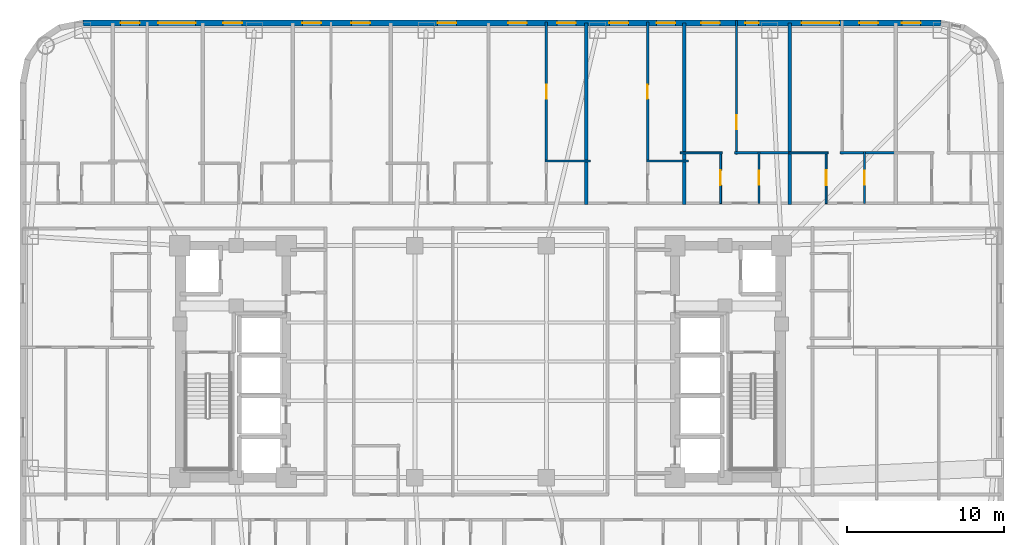
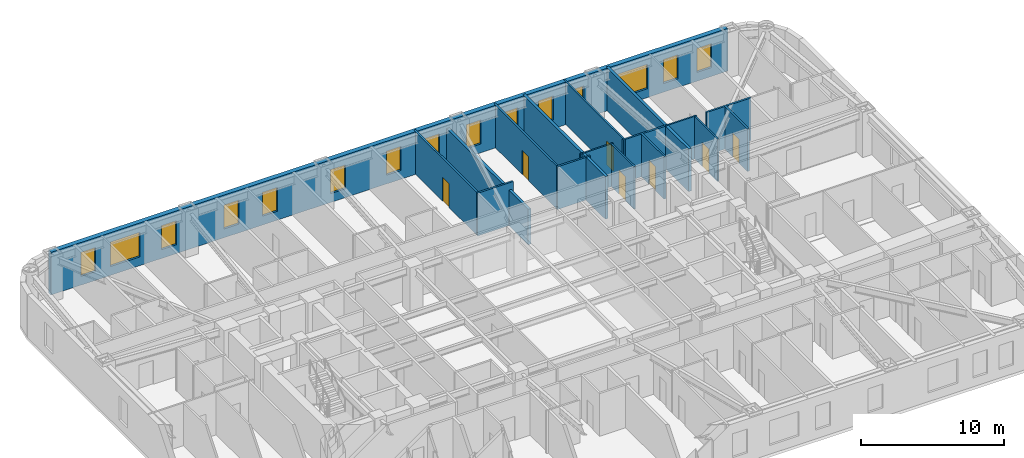
# One storey, part 9 of 13: 17 walls, 15 windows, 7 doors, 22 openings.
"""IFC4 building model written with IfcOpenShell, lengths in metres."""

from ifc_helpers import new_model, si_unit, direction, frame, frame_2d, origin, place, context, subcontext, project, spatial, rectangle, extrude, material, layer, layer_set, type_object, element, fill, save


model = new_model("IFC4")

# Units and contexts
model_context = context("Model", 3, precision=1e-05, world=origin(), true_north=direction((0.0, 1.0)))
body_context = subcontext(model_context, "Body", "Model", "MODEL_VIEW")
ifc_project = project(units=[si_unit("LENGTHUNIT", "METRE"), si_unit("AREAUNIT", "SQUARE_METRE"), si_unit("VOLUMEUNIT", "CUBIC_METRE"), si_unit("PLANEANGLEUNIT", "RADIAN"), si_unit("MASSUNIT", "GRAM", prefix="KILO")], contexts=[model_context])

# Site, building, storey
site_placement = place(None, origin())
site = spatial("IfcSite", under=ifc_project, at=site_placement, CompositionType="ELEMENT")
building_placement = place(site_placement, origin())
building = spatial("IfcBuilding", under=site, at=building_placement, Name="Voryun Gate Residences", CompositionType="ELEMENT")
storey_placement = place(building_placement, frame((0.0, 0.0, 124.800048828125)))
storey = spatial("IfcBuildingStorey", under=building, at=storey_placement, Name="L30", CompositionType="ELEMENT", Elevation=124.800048828125)

# Wall, openings, windows
ifc_material_1 = material(Name="Granite masonry", Category="masonry")
ifc_layer_1 = layer(ifc_material_1, 0.3798828125, Name="W_EXT_GRANITE_380")
ifc_layer_set_1 = layer_set([ifc_layer_1], Name="Granite masonry")
wall_type_1 = type_object("IfcWallType", Name="W_EXT_GRANITE_380", PredefinedType="ELEMENTEDWALL", material=ifc_layer_set_1)
wall_1_placement = place(storey_placement, frame((-25.38134765625, 21.610107421875, 0.0), z_axis=(0.0, 0.0, 1.0), x_axis=(1.0, 0.0, 0.0)))
wall_1 = element("IfcWall", 1, at=wall_1_placement, inside=storey, type_object=wall_type_1, Name="Exterior wall WEXT-L30-11", PredefinedType="ELEMENTEDWALL", context=body_context, shape_type="SweptSolid", body=[
    extrude(rectangle(XDim=54.7626953125, YDim=0.3798828125, at=frame_2d((27.38134765625, 0.0))), origin(), (0.0, 0.0, 1.0), 3.64990234375),
])
opening_1_placement = place(wall_1_placement, frame((4.79541015625, 0.0, 0.75)))
opening_1 = element("IfcOpeningElement", 2, at=opening_1_placement, cuts=wall_1, Name="Opening WN2", PredefinedType="OPENING", context=body_context, shape_type="SweptSolid", body=[
    extrude(rectangle(XDim=2.39990234375, YDim=2.10009765625, at=frame_2d((1.199951171875, 1.050048828125))), frame((0.0, 0.199951171875, 0.0), z_axis=(0.0, -1.0, 0.0), x_axis=(1.0, 0.0, 0.0)), (0.0, 0.0, 1.0), 0.39990234375),
])
opening_2_placement = place(wall_1_placement, frame((45.8671875, 0.0, 0.75)))
opening_2 = element("IfcOpeningElement", 3, at=opening_2_placement, cuts=wall_1, Name="Opening WN2", PredefinedType="OPENING", context=body_context, shape_type="SweptSolid", body=[
    extrude(rectangle(XDim=2.39990234375, YDim=2.10009765625, at=frame_2d((1.199951171875, 1.050048828125))), frame((0.0, 0.199951171875, 0.0), z_axis=(0.0, -1.0, 0.0), x_axis=(1.0, 0.0, 0.0)), (0.0, 0.0, 1.0), 0.39990234375),
])
opening_3_placement = place(wall_1_placement, frame((2.408203125, 0.0, 0.75)))
opening_3 = element("IfcOpeningElement", 4, at=opening_3_placement, cuts=wall_1, Name="Opening WN6", PredefinedType="OPENING", context=body_context, shape_type="SweptSolid", body=[
    extrude(rectangle(XDim=1.199951171875, YDim=2.050048828125, at=frame_2d((0.60009765625, 1.02490234375))), frame((0.0, 0.199951171875, 0.0), z_axis=(0.0, -1.0, 0.0), x_axis=(1.0, 0.0, 0.0)), (0.0, 0.0, 1.0), 0.39990234375),
])
opening_4_placement = place(wall_1_placement, frame((8.951904296875, 0.0, 0.75)))
opening_4 = element("IfcOpeningElement", 5, at=opening_4_placement, cuts=wall_1, Name="Opening WN6", PredefinedType="OPENING", context=body_context, shape_type="SweptSolid", body=[
    extrude(rectangle(XDim=1.199951171875, YDim=2.050048828125, at=frame_2d((0.60009765625, 1.02490234375))), frame((0.0, 0.199951171875, 0.0), z_axis=(0.0, -1.0, 0.0), x_axis=(1.0, 0.0, 0.0)), (0.0, 0.0, 1.0), 0.39990234375),
])
opening_5_placement = place(wall_1_placement, frame((17.1318359375, 0.0, 0.75)))
opening_5 = element("IfcOpeningElement", 6, at=opening_5_placement, cuts=wall_1, Name="Opening WN6", PredefinedType="OPENING", context=body_context, shape_type="SweptSolid", body=[
    extrude(rectangle(XDim=1.199951171875, YDim=2.050048828125, at=frame_2d((0.60009765625, 1.02490234375))), frame((0.0, 0.199951171875, 0.0), z_axis=(0.0, -1.0, 0.0), x_axis=(1.0, 0.0, 0.0)), (0.0, 0.0, 1.0), 0.39990234375),
])
opening_6_placement = place(wall_1_placement, frame((14.0068359375, 0.0, 0.75)))
opening_6 = element("IfcOpeningElement", 7, at=opening_6_placement, cuts=wall_1, Name="Opening WN6", PredefinedType="OPENING", context=body_context, shape_type="SweptSolid", body=[
    extrude(rectangle(XDim=1.199951171875, YDim=2.050048828125, at=frame_2d((0.60009765625, 1.02490234375))), frame((0.0, 0.199951171875, 0.0), z_axis=(0.0, -1.0, 0.0), x_axis=(1.0, 0.0, 0.0)), (0.0, 0.0, 1.0), 0.39990234375),
])
opening_7_placement = place(wall_1_placement, frame((22.63623046875, 0.0, 0.75)))
opening_7 = element("IfcOpeningElement", 8, at=opening_7_placement, cuts=wall_1, Name="Opening WN6", PredefinedType="OPENING", context=body_context, shape_type="SweptSolid", body=[
    extrude(rectangle(XDim=1.199951171875, YDim=2.050048828125, at=frame_2d((0.60009765625, 1.02490234375))), frame((0.0, 0.199951171875, 0.0), z_axis=(0.0, -1.0, 0.0), x_axis=(1.0, 0.0, 0.0)), (0.0, 0.0, 1.0), 0.39990234375),
])
opening_8_placement = place(wall_1_placement, frame((27.12890625, 0.0, 0.75)))
opening_8 = element("IfcOpeningElement", 9, at=opening_8_placement, cuts=wall_1, Name="Opening WN6", PredefinedType="OPENING", context=body_context, shape_type="SweptSolid", body=[
    extrude(rectangle(XDim=1.199951171875, YDim=2.050048828125, at=frame_2d((0.60009765625, 1.02490234375))), frame((0.0, 0.199951171875, 0.0), z_axis=(0.0, -1.0, 0.0), x_axis=(1.0, 0.0, 0.0)), (0.0, 0.0, 1.0), 0.39990234375),
])
opening_9_placement = place(wall_1_placement, frame((30.25390625, 0.0, 0.75)))
opening_9 = element("IfcOpeningElement", 10, at=opening_9_placement, cuts=wall_1, Name="Opening WN6", PredefinedType="OPENING", context=body_context, shape_type="SweptSolid", body=[
    extrude(rectangle(XDim=1.199951171875, YDim=2.050048828125, at=frame_2d((0.60009765625, 1.02490234375))), frame((0.0, 0.199951171875, 0.0), z_axis=(0.0, -1.0, 0.0), x_axis=(1.0, 0.0, 0.0)), (0.0, 0.0, 1.0), 0.39990234375),
])
opening_10_placement = place(wall_1_placement, frame((33.603271484375, 0.0, 0.75)))
opening_10 = element("IfcOpeningElement", 11, at=opening_10_placement, cuts=wall_1, Name="Opening WN6", PredefinedType="OPENING", context=body_context, shape_type="SweptSolid", body=[
    extrude(rectangle(XDim=1.199951171875, YDim=2.050048828125, at=frame_2d((0.60009765625, 1.02490234375))), frame((0.0, 0.199951171875, 0.0), z_axis=(0.0, -1.0, 0.0), x_axis=(1.0, 0.0, 0.0)), (0.0, 0.0, 1.0), 0.39990234375),
])
opening_11_placement = place(wall_1_placement, frame((36.6083984375, 0.0, 0.75)))
opening_11 = element("IfcOpeningElement", 12, at=opening_11_placement, cuts=wall_1, Name="Opening WN6", PredefinedType="OPENING", context=body_context, shape_type="SweptSolid", body=[
    extrude(rectangle(XDim=1.199951171875, YDim=2.050048828125, at=frame_2d((0.60009765625, 1.02490234375))), frame((0.0, 0.199951171875, 0.0), z_axis=(0.0, -1.0, 0.0), x_axis=(1.0, 0.0, 0.0)), (0.0, 0.0, 1.0), 0.39990234375),
])
opening_12_placement = place(wall_1_placement, frame((39.44580078125, 0.0, 0.75)))
opening_12 = element("IfcOpeningElement", 13, at=opening_12_placement, cuts=wall_1, Name="Opening WN6", PredefinedType="OPENING", context=body_context, shape_type="SweptSolid", body=[
    extrude(rectangle(XDim=1.199951171875, YDim=2.050048828125, at=frame_2d((0.60009765625, 1.02490234375))), frame((0.0, 0.199951171875, 0.0), z_axis=(0.0, -1.0, 0.0), x_axis=(1.0, 0.0, 0.0)), (0.0, 0.0, 1.0), 0.39990234375),
])
opening_13_placement = place(wall_1_placement, frame((42.270263671875, 0.0, 0.75)))
opening_13 = element("IfcOpeningElement", 14, at=opening_13_placement, cuts=wall_1, Name="Opening WN9", PredefinedType="OPENING", context=body_context, shape_type="SweptSolid", body=[
    extrude(rectangle(XDim=0.85009765625, YDim=2.050048828125, at=frame_2d((0.425048828125, 1.02490234375))), frame((0.0, 0.199951171875, 0.0), z_axis=(0.0, -1.0, 0.0), x_axis=(1.0, 0.0, 0.0)), (0.0, 0.0, 1.0), 0.39990234375),
])
opening_14_placement = place(wall_1_placement, frame((49.55419921875, 0.0, 0.75)))
opening_14 = element("IfcOpeningElement", 15, at=opening_14_placement, cuts=wall_1, Name="Opening WN6", PredefinedType="OPENING", context=body_context, shape_type="SweptSolid", body=[
    extrude(rectangle(XDim=1.199951171875, YDim=2.050048828125, at=frame_2d((0.60009765625, 1.02490234375))), frame((0.0, 0.199951171875, 0.0), z_axis=(0.0, -1.0, 0.0), x_axis=(1.0, 0.0, 0.0)), (0.0, 0.0, 1.0), 0.39990234375),
])
opening_15_placement = place(wall_1_placement, frame((52.26611328125, 0.0, 0.75)))
opening_15 = element("IfcOpeningElement", 16, at=opening_15_placement, cuts=wall_1, Name="Opening WN6", PredefinedType="OPENING", context=body_context, shape_type="SweptSolid", body=[
    extrude(rectangle(XDim=1.199951171875, YDim=2.050048828125, at=frame_2d((0.60009765625, 1.02490234375))), frame((0.0, 0.199951171875, 0.0), z_axis=(0.0, -1.0, 0.0), x_axis=(1.0, 0.0, 0.0)), (0.0, 0.0, 1.0), 0.39990234375),
])
ifc_material_2 = material(Name="Laminated low-E glass", Category="glass")
window_type_1 = type_object("IfcWindowType", Name="WN_POD_SLOT_1200", PartitioningType="SINGLE_PANEL", PredefinedType="WINDOW", material=ifc_material_2)
window_1_placement = place(opening_3_placement, origin())
window_1 = element("IfcWindow", 17, at=window_1_placement, inside=storey, type_object=window_type_1, Name="Window WN-L30-DWFIX-02", OverallHeight=2.050048828125, OverallWidth=1.199951171875, PartitioningType="SINGLE_PANEL", PredefinedType="WINDOW", context=body_context, shape_type="SweptSolid", body=[
    extrude(rectangle(XDim=1.199951171875, YDim=2.050048828125, at=frame_2d((0.60009765625, 1.02490234375))), frame((0.0, 0.030029296875, 0.0), z_axis=(0.0, -1.0, 0.0), x_axis=(1.0, 0.0, 0.0)), (0.0, 0.0, 1.0), 0.06005859375),
])
fill(opening_3, window_1)
window_2_placement = place(opening_4_placement, origin())
window_2 = element("IfcWindow", 18, at=window_2_placement, inside=storey, type_object=window_type_1, Name="Window WN-L30-DWFIX-03", OverallHeight=2.050048828125, OverallWidth=1.199951171875, PartitioningType="SINGLE_PANEL", PredefinedType="WINDOW", context=body_context, shape_type="SweptSolid", body=[
    extrude(rectangle(XDim=1.199951171875, YDim=2.050048828125, at=frame_2d((0.60009765625, 1.02490234375))), frame((0.0, 0.030029296875, 0.0), z_axis=(0.0, -1.0, 0.0), x_axis=(1.0, 0.0, 0.0)), (0.0, 0.0, 1.0), 0.06005859375),
])
fill(opening_4, window_2)
window_3_placement = place(opening_5_placement, origin())
window_3 = element("IfcWindow", 19, at=window_3_placement, inside=storey, type_object=window_type_1, Name="Window WN-L30-DWFIX-04", OverallHeight=2.050048828125, OverallWidth=1.199951171875, PartitioningType="SINGLE_PANEL", PredefinedType="WINDOW", context=body_context, shape_type="SweptSolid", body=[
    extrude(rectangle(XDim=1.199951171875, YDim=2.050048828125, at=frame_2d((0.60009765625, 1.02490234375))), frame((0.0, 0.030029296875, 0.0), z_axis=(0.0, -1.0, 0.0), x_axis=(1.0, 0.0, 0.0)), (0.0, 0.0, 1.0), 0.06005859375),
])
fill(opening_5, window_3)
window_4_placement = place(opening_6_placement, origin())
window_4 = element("IfcWindow", 20, at=window_4_placement, inside=storey, type_object=window_type_1, Name="Window WN-L30-DWFIX-05", OverallHeight=2.050048828125, OverallWidth=1.199951171875, PartitioningType="SINGLE_PANEL", PredefinedType="WINDOW", context=body_context, shape_type="SweptSolid", body=[
    extrude(rectangle(XDim=1.199951171875, YDim=2.050048828125, at=frame_2d((0.60009765625, 1.02490234375))), frame((0.0, 0.030029296875, 0.0), z_axis=(0.0, -1.0, 0.0), x_axis=(1.0, 0.0, 0.0)), (0.0, 0.0, 1.0), 0.06005859375),
])
fill(opening_6, window_4)
window_5_placement = place(opening_7_placement, origin())
window_5 = element("IfcWindow", 21, at=window_5_placement, inside=storey, type_object=window_type_1, Name="Window WN-L30-DWFIX-06", OverallHeight=2.050048828125, OverallWidth=1.199951171875, PartitioningType="SINGLE_PANEL", PredefinedType="WINDOW", context=body_context, shape_type="SweptSolid", body=[
    extrude(rectangle(XDim=1.199951171875, YDim=2.050048828125, at=frame_2d((0.60009765625, 1.02490234375))), frame((0.0, 0.030029296875, 0.0), z_axis=(0.0, -1.0, 0.0), x_axis=(1.0, 0.0, 0.0)), (0.0, 0.0, 1.0), 0.06005859375),
])
fill(opening_7, window_5)
window_6_placement = place(opening_8_placement, origin())
window_6 = element("IfcWindow", 22, at=window_6_placement, inside=storey, type_object=window_type_1, Name="Window WN-L30-DWFIX-07", OverallHeight=2.050048828125, OverallWidth=1.199951171875, PartitioningType="SINGLE_PANEL", PredefinedType="WINDOW", context=body_context, shape_type="SweptSolid", body=[
    extrude(rectangle(XDim=1.199951171875, YDim=2.050048828125, at=frame_2d((0.60009765625, 1.02490234375))), frame((0.0, 0.030029296875, 0.0), z_axis=(0.0, -1.0, 0.0), x_axis=(1.0, 0.0, 0.0)), (0.0, 0.0, 1.0), 0.06005859375),
])
fill(opening_8, window_6)
window_7_placement = place(opening_9_placement, origin())
window_7 = element("IfcWindow", 23, at=window_7_placement, inside=storey, type_object=window_type_1, Name="Window WN-L30-DWFIX-08", OverallHeight=2.050048828125, OverallWidth=1.199951171875, PartitioningType="SINGLE_PANEL", PredefinedType="WINDOW", context=body_context, shape_type="SweptSolid", body=[
    extrude(rectangle(XDim=1.199951171875, YDim=2.050048828125, at=frame_2d((0.60009765625, 1.02490234375))), frame((0.0, 0.030029296875, 0.0), z_axis=(0.0, -1.0, 0.0), x_axis=(1.0, 0.0, 0.0)), (0.0, 0.0, 1.0), 0.06005859375),
])
fill(opening_9, window_7)
window_8_placement = place(opening_10_placement, origin())
window_8 = element("IfcWindow", 24, at=window_8_placement, inside=storey, type_object=window_type_1, Name="Window WN-L30-DWFIX-09", OverallHeight=2.050048828125, OverallWidth=1.199951171875, PartitioningType="SINGLE_PANEL", PredefinedType="WINDOW", context=body_context, shape_type="SweptSolid", body=[
    extrude(rectangle(XDim=1.199951171875, YDim=2.050048828125, at=frame_2d((0.60009765625, 1.02490234375))), frame((0.0, 0.030029296875, 0.0), z_axis=(0.0, -1.0, 0.0), x_axis=(1.0, 0.0, 0.0)), (0.0, 0.0, 1.0), 0.06005859375),
])
fill(opening_10, window_8)
window_9_placement = place(opening_11_placement, origin())
window_9 = element("IfcWindow", 25, at=window_9_placement, inside=storey, type_object=window_type_1, Name="Window WN-L30-DWFIX-10", OverallHeight=2.050048828125, OverallWidth=1.199951171875, PartitioningType="SINGLE_PANEL", PredefinedType="WINDOW", context=body_context, shape_type="SweptSolid", body=[
    extrude(rectangle(XDim=1.199951171875, YDim=2.050048828125, at=frame_2d((0.60009765625, 1.02490234375))), frame((0.0, 0.030029296875, 0.0), z_axis=(0.0, -1.0, 0.0), x_axis=(1.0, 0.0, 0.0)), (0.0, 0.0, 1.0), 0.06005859375),
])
fill(opening_11, window_9)
window_10_placement = place(opening_12_placement, origin())
window_10 = element("IfcWindow", 26, at=window_10_placement, inside=storey, type_object=window_type_1, Name="Window WN-L30-DWFIX-11", OverallHeight=2.050048828125, OverallWidth=1.199951171875, PartitioningType="SINGLE_PANEL", PredefinedType="WINDOW", context=body_context, shape_type="SweptSolid", body=[
    extrude(rectangle(XDim=1.199951171875, YDim=2.050048828125, at=frame_2d((0.60009765625, 1.02490234375))), frame((0.0, 0.030029296875, 0.0), z_axis=(0.0, -1.0, 0.0), x_axis=(1.0, 0.0, 0.0)), (0.0, 0.0, 1.0), 0.06005859375),
])
fill(opening_12, window_10)
window_11_placement = place(opening_14_placement, origin())
window_11 = element("IfcWindow", 27, at=window_11_placement, inside=storey, type_object=window_type_1, Name="Window WN-L30-DWFIX-13", OverallHeight=2.050048828125, OverallWidth=1.199951171875, PartitioningType="SINGLE_PANEL", PredefinedType="WINDOW", context=body_context, shape_type="SweptSolid", body=[
    extrude(rectangle(XDim=1.199951171875, YDim=2.050048828125, at=frame_2d((0.60009765625, 1.02490234375))), frame((0.0, 0.030029296875, 0.0), z_axis=(0.0, -1.0, 0.0), x_axis=(1.0, 0.0, 0.0)), (0.0, 0.0, 1.0), 0.06005859375),
])
fill(opening_14, window_11)
window_12_placement = place(opening_15_placement, origin())
window_12 = element("IfcWindow", 28, at=window_12_placement, inside=storey, type_object=window_type_1, Name="Window WN-L30-DWFIX-14", OverallHeight=2.050048828125, OverallWidth=1.199951171875, PartitioningType="SINGLE_PANEL", PredefinedType="WINDOW", context=body_context, shape_type="SweptSolid", body=[
    extrude(rectangle(XDim=1.199951171875, YDim=2.050048828125, at=frame_2d((0.60009765625, 1.02490234375))), frame((0.0, 0.030029296875, 0.0), z_axis=(0.0, -1.0, 0.0), x_axis=(1.0, 0.0, 0.0)), (0.0, 0.0, 1.0), 0.06005859375),
])
fill(opening_15, window_12)
ifc_material_3 = material(Name="Laminated low-E glass", Category="glass")
window_type_2 = type_object("IfcWindowType", Name="WN_RES_CASEMENT_850", PartitioningType="SINGLE_PANEL", PredefinedType="WINDOW", material=ifc_material_3)
window_13_placement = place(opening_13_placement, origin())
window_13 = element("IfcWindow", 29, at=window_13_placement, inside=storey, type_object=window_type_2, Name="Window WN-L30-DWFIX-12", OverallHeight=2.050048828125, OverallWidth=0.85009765625, PartitioningType="SINGLE_PANEL", PredefinedType="WINDOW", context=body_context, shape_type="SweptSolid", body=[
    extrude(rectangle(XDim=0.85009765625, YDim=2.050048828125, at=frame_2d((0.425048828125, 1.02490234375))), frame((0.0, 0.030029296875, 0.0), z_axis=(0.0, -1.0, 0.0), x_axis=(1.0, 0.0, 0.0)), (0.0, 0.0, 1.0), 0.06005859375),
])
fill(opening_13, window_13)
ifc_material_4 = material(Name="Laminated low-E glass", Category="glass")
window_type_3 = type_object("IfcWindowType", Name="WN_RES_WIDE_2400", PartitioningType="SINGLE_PANEL", PredefinedType="WINDOW", material=ifc_material_4)
window_14_placement = place(opening_1_placement, origin())
window_14 = element("IfcWindow", 30, at=window_14_placement, inside=storey, type_object=window_type_3, Name="Window WN-WEXT-L30-11-01", OverallHeight=2.10009765625, OverallWidth=2.39990234375, PartitioningType="SINGLE_PANEL", PredefinedType="WINDOW", context=body_context, shape_type="SweptSolid", body=[
    extrude(rectangle(XDim=2.39990234375, YDim=2.10009765625, at=frame_2d((1.199951171875, 1.050048828125))), frame((0.0, 0.030029296875, 0.0), z_axis=(0.0, -1.0, 0.0), x_axis=(1.0, 0.0, 0.0)), (0.0, 0.0, 1.0), 0.06005859375),
])
fill(opening_1, window_14)
window_15_placement = place(opening_2_placement, origin())
window_15 = element("IfcWindow", 31, at=window_15_placement, inside=storey, type_object=window_type_3, Name="Window WN-WEXT-L30-11-04", OverallHeight=2.10009765625, OverallWidth=2.39990234375, PartitioningType="SINGLE_PANEL", PredefinedType="WINDOW", context=body_context, shape_type="SweptSolid", body=[
    extrude(rectangle(XDim=2.39990234375, YDim=2.10009765625, at=frame_2d((1.199951171875, 1.050048828125))), frame((0.0, 0.030029296875, 0.0), z_axis=(0.0, -1.0, 0.0), x_axis=(1.0, 0.0, 0.0)), (0.0, 0.0, 1.0), 0.06005859375),
])
fill(opening_2, window_15)

# Walls
ifc_material_5 = material(Name="Concrete C40/50", Category="concrete")
ifc_layer_2 = layer(ifc_material_5, 0.219970703125, Name="W_PARTY_ACOUSTIC_220")
ifc_layer_set_2 = layer_set([ifc_layer_2], Name="Concrete C40/50")
wall_type_2 = type_object("IfcWallType", Name="W_PARTY_ACOUSTIC_220", PredefinedType="PARTITIONING", material=ifc_layer_set_2)
wall_2_placement = place(storey_placement, frame((6.75, 10.02001953125, 0.0), z_axis=(0.0, 0.0, 1.0), x_axis=(0.0, 1.0, 0.0)))
element("IfcWall", 32, at=wall_2_placement, inside=storey, type_object=wall_type_2, Name="Partition wall WP-L30-NPTY-6", PredefinedType="PARTITIONING", context=body_context, shape_type="SweptSolid", body=[
    extrude(rectangle(XDim=11.590087890625, YDim=0.219970703125, at=frame_2d((5.794921875, 0.0))), origin(), (0.0, 0.0, 1.0), 3.0400390625),
])
for number, where, z_axis, x_axis, name in (
    (33, (13.0, 10.02001953125, 0.0), (0.0, 0.0, 1.0), (0.0, 1.0, 0.0), "Partition wall WP-L30-NPTY-7"),
    (34, (19.739013671875, 10.02001953125, 0.0), (0.0, 0.0, 1.0), (0.0, 1.0, 0.0), "Partition wall WP-L30-NPTY-8"),
):
    element("IfcWall", number, at=place(storey_placement, frame(where, z_axis=z_axis, x_axis=x_axis)), inside=storey, type_object=wall_type_2, Name=name, PredefinedType="PARTITIONING", context=body_context, shape_type="SweptSolid", body=[
        extrude(rectangle(XDim=11.590087890625, YDim=0.219970703125, at=frame_2d((5.794921875, 0.0))), origin(), (0.0, 0.0, 1.0), 3.64990234375),
    ])

# Wall, opening, door
ifc_material_6 = material(Name="Gypsum acoustic partition")
ifc_layer_3 = layer(ifc_material_6, 0.125, Name="W_UNIT_PART_125")
ifc_layer_set_3 = layer_set([ifc_layer_3], Name="Gypsum acoustic partition")
wall_type_3 = type_object("IfcWallType", Name="W_UNIT_PART_125", PredefinedType="PARTITIONING", material=ifc_layer_set_3)
wall_3_placement = place(storey_placement, frame((16.3291015625, 13.239990234375, 0.0), z_axis=(0.0, 0.0, 1.0), x_axis=(0.0, 1.0, 0.0)))
wall_3 = element("IfcWall", 35, at=wall_3_placement, inside=storey, type_object=wall_type_3, Name="Partition wall WP-L30-N8-OVR", PredefinedType="PARTITIONING", context=body_context, shape_type="SweptSolid", body=[
    extrude(rectangle(XDim=8.52001953125, YDim=0.125, at=frame_2d((4.260009765625, 0.0))), origin(), (0.0, 0.0, 1.0), 3.64990234375),
])
opening_16_placement = place(wall_3_placement, frame((1.5947265625, 0.0, 0.0)))
opening_16 = element("IfcOpeningElement", 36, at=opening_16_placement, cuts=wall_3, Name="Opening D-INT-2", PredefinedType="OPENING", context=body_context, shape_type="SweptSolid", body=[
    extrude(rectangle(XDim=0.89990234375, YDim=2.050048828125, at=frame_2d((0.449951171875, 1.02490234375))), frame((0.0, 0.072509765625, 0.0), z_axis=(0.0, -1.0, 0.0), x_axis=(1.0, 0.0, 0.0)), (0.0, 0.0, 1.0), 0.14501953125),
])
ifc_material_7 = material(Name="Architectural oak veneer")
door_type_1 = type_object("IfcDoorType", Name="DR_INT_BATH_900", OperationType="NOTDEFINED", PredefinedType="DOOR", material=ifc_material_7)
door_1_placement = place(opening_16_placement, origin())
door_1 = element("IfcDoor", 37, at=door_1_placement, inside=storey, type_object=door_type_1, Name="Door DR-L30-N8-DMB", OperationType="SINGLE_SWING_RIGHT", OverallHeight=2.050048828125, OverallWidth=0.89990234375, PredefinedType="DOOR", context=body_context, shape_type="SweptSolid", body=[
    extrude(rectangle(XDim=0.89990234375, YDim=2.050048828125, at=frame_2d((0.449951171875, 1.02490234375))), frame((0.0, 0.02490234375, 0.0), z_axis=(0.0, -1.0, 0.0), x_axis=(1.0, 0.0, 0.0)), (0.0, 0.0, 1.0), 0.050048828125),
])
fill(opening_16, door_1)

wall_4_placement = place(storey_placement, frame((15.31005859375, 10.080078125, 0.0), z_axis=(0.0, 0.0, 1.0), x_axis=(0.0, 1.0, 0.0)))
wall_4 = element("IfcWall", 38, at=wall_4_placement, inside=storey, type_object=wall_type_3, Name="Partition wall WP-L30-N8-IVK", PredefinedType="PARTITIONING", context=body_context, shape_type="SweptSolid", body=[
    extrude(rectangle(XDim=3.31982421875, YDim=0.125, at=frame_2d((1.659912109375, 0.0))), origin(), (0.0, 0.0, 1.0), 3.64990234375),
])
opening_17_placement = place(wall_4_placement, frame((1.18505859375, 0.0, 0.0)))
opening_17 = element("IfcOpeningElement", 39, at=opening_17_placement, cuts=wall_4, Name="Opening D-INT-1", PredefinedType="OPENING", context=body_context, shape_type="SweptSolid", body=[
    extrude(rectangle(XDim=0.949951171875, YDim=2.050048828125, at=frame_2d((0.47509765625, 1.02490234375))), frame((0.0, 0.072509765625, 0.0), z_axis=(0.0, -1.0, 0.0), x_axis=(1.0, 0.0, 0.0)), (0.0, 0.0, 1.0), 0.14501953125),
])
ifc_material_8 = material(Name="Architectural oak veneer")
door_type_2 = type_object("IfcDoorType", Name="DR_INT_ROOM_950", OperationType="NOTDEFINED", PredefinedType="DOOR", material=ifc_material_8)
door_2_placement = place(opening_17_placement, origin())
door_2 = element("IfcDoor", 40, at=door_2_placement, inside=storey, type_object=door_type_2, Name="Door DR-L30-N8-DK", OperationType="SINGLE_SWING_LEFT", OverallHeight=2.050048828125, OverallWidth=0.949951171875, PredefinedType="DOOR", context=body_context, shape_type="SweptSolid", body=[
    extrude(rectangle(XDim=0.949951171875, YDim=2.050048828125, at=frame_2d((0.47509765625, 1.02490234375))), frame((0.0, 0.02490234375, 0.0), z_axis=(0.0, -1.0, 0.0), x_axis=(1.0, 0.0, 0.0)), (0.0, 0.0, 1.0), 0.050048828125),
])
fill(opening_17, door_2)

# Wall
wall_5_placement = place(storey_placement, frame((12.739990234375, 13.320068359375, 0.0), z_axis=(0.0, 0.0, 1.0), x_axis=(1.0, 0.0, 0.0)))
element("IfcWall", 41, at=wall_5_placement, inside=storey, type_object=wall_type_3, Name="Partition wall WP-L30-N8-HZK", PredefinedType="PARTITIONING", context=body_context, shape_type="SweptSolid", body=[
    extrude(rectangle(XDim=2.68994140625, YDim=0.125, at=frame_2d((1.344970703125, 0.0))), origin(), (0.0, 0.0, 1.0), 3.64990234375),
])

# Wall, opening, door
wall_6_placement = place(storey_placement, frame((22.049072265625, 10.080078125, 0.0), z_axis=(0.0, 0.0, 1.0), x_axis=(0.0, 1.0, 0.0)))
wall_6 = element("IfcWall", 42, at=wall_6_placement, inside=storey, type_object=wall_type_3, Name="Partition wall WP-L30-N9-IVK", PredefinedType="PARTITIONING", context=body_context, shape_type="SweptSolid", body=[
    extrude(rectangle(XDim=3.31982421875, YDim=0.125, at=frame_2d((1.659912109375, 0.0))), origin(), (0.0, 0.0, 1.0), 3.64990234375),
])
opening_18_placement = place(wall_6_placement, frame((1.18505859375, 0.0, 0.0)))
opening_18 = element("IfcOpeningElement", 43, at=opening_18_placement, cuts=wall_6, Name="Opening D-INT-1", PredefinedType="OPENING", context=body_context, shape_type="SweptSolid", body=[
    extrude(rectangle(XDim=0.949951171875, YDim=2.050048828125, at=frame_2d((0.47509765625, 1.02490234375))), frame((0.0, 0.072509765625, 0.0), z_axis=(0.0, -1.0, 0.0), x_axis=(1.0, 0.0, 0.0)), (0.0, 0.0, 1.0), 0.14501953125),
])
door_3_placement = place(opening_18_placement, origin())
door_3 = element("IfcDoor", 44, at=door_3_placement, inside=storey, type_object=door_type_2, Name="Door DR-L30-N9-DK", OperationType="SINGLE_SWING_LEFT", OverallHeight=2.050048828125, OverallWidth=0.949951171875, PredefinedType="DOOR", context=body_context, shape_type="SweptSolid", body=[
    extrude(rectangle(XDim=0.949951171875, YDim=2.050048828125, at=frame_2d((0.47509765625, 1.02490234375))), frame((0.0, 0.02490234375, 0.0), z_axis=(0.0, -1.0, 0.0), x_axis=(1.0, 0.0, 0.0)), (0.0, 0.0, 1.0), 0.050048828125),
])
fill(opening_18, door_3)

# Walls
wall_7_placement = place(storey_placement, frame((19.6640625, 13.320068359375, 0.0), z_axis=(0.0, 0.0, 1.0), x_axis=(1.0, 0.0, 0.0)))
element("IfcWall", 45, at=wall_7_placement, inside=storey, type_object=wall_type_3, Name="Partition wall WP-L30-N9-HZK", PredefinedType="PARTITIONING", context=body_context, shape_type="SweptSolid", body=[
    extrude(rectangle(XDim=2.5048828125, YDim=0.125, at=frame_2d((1.25244140625, 0.0))), origin(), (0.0, 0.0, 1.0), 3.64990234375),
])
ifc_material_9 = material(Name="Gypsum moisture-resistant partition")
ifc_layer_4 = layer(ifc_material_9, 0.14990234375, Name="W_WET_PLUMB_150")
ifc_layer_set_4 = layer_set([ifc_layer_4], Name="Gypsum moisture-resistant partition")
wall_type_4 = type_object("IfcWallType", Name="W_WET_PLUMB_150", PredefinedType="PLUMBINGWALL", material=ifc_layer_set_4)
wall_8_placement = place(storey_placement, frame((4.114990234375, 12.800048828125, 0.0), z_axis=(0.0, 0.0, 1.0), x_axis=(1.0, 0.0, 0.0)))
element("IfcWall", 46, at=wall_8_placement, inside=storey, type_object=wall_type_4, Name="Partition wall WP-L30-N6-SKB", PredefinedType="PLUMBINGWALL", context=body_context, shape_type="SweptSolid", body=[
    extrude(rectangle(XDim=2.89501953125, YDim=0.14990234375, at=frame_2d((1.447509765625, 0.0))), origin(), (0.0, 0.0, 1.0), 3.64990234375),
])

# Wall, opening, door
wall_9_placement = place(storey_placement, frame((4.195068359375, 12.760009765625, 0.0), z_axis=(0.0, 0.0, 1.0), x_axis=(0.0, 1.0, 0.0)))
wall_9 = element("IfcWall", 47, at=wall_9_placement, inside=storey, type_object=wall_type_4, Name="Partition wall WP-L30-N6-SVT2", PredefinedType="PLUMBINGWALL", context=body_context, shape_type="SweptSolid", body=[
    extrude(rectangle(XDim=8.897705078125, YDim=0.14990234375, at=frame_2d((4.44873046875, 0.0))), origin(), (0.0, 0.0, 1.0), 3.64990234375),
])
opening_19_placement = place(wall_9_placement, frame((3.998779296875, 0.0, 0.0)))
opening_19 = element("IfcOpeningElement", 48, at=opening_19_placement, cuts=wall_9, Name="Opening D-INT-2", PredefinedType="OPENING", context=body_context, shape_type="SweptSolid", body=[
    extrude(rectangle(XDim=0.89990234375, YDim=2.050048828125, at=frame_2d((0.449951171875, 1.02490234375))), frame((0.0, 0.0849609375, 0.0), z_axis=(0.0, -1.0, 0.0), x_axis=(1.0, 0.0, 0.0)), (0.0, 0.0, 1.0), 0.169921875),
])
door_4_placement = place(opening_19_placement, origin())
door_4 = element("IfcDoor", 49, at=door_4_placement, inside=storey, type_object=door_type_1, Name="Door DR-L30-N6-DK", OperationType="SINGLE_SWING_RIGHT", OverallHeight=2.050048828125, OverallWidth=0.89990234375, PredefinedType="DOOR", context=body_context, shape_type="SweptSolid", body=[
    extrude(rectangle(XDim=0.89990234375, YDim=2.050048828125, at=frame_2d((0.449951171875, 1.02490234375))), frame((0.0, 0.02490234375, 0.0), z_axis=(0.0, -1.0, 0.0), x_axis=(1.0, 0.0, 0.0)), (0.0, 0.0, 1.0), 0.050048828125),
])
fill(opening_19, door_4)

# Wall
wall_10_placement = place(storey_placement, frame((10.573974609375, 12.800048828125, 0.0), z_axis=(0.0, 0.0, 1.0), x_axis=(1.0, 0.0, 0.0)))
element("IfcWall", 50, at=wall_10_placement, inside=storey, type_object=wall_type_4, Name="Partition wall WP-L30-N7-SKB", PredefinedType="PLUMBINGWALL", context=body_context, shape_type="SweptSolid", body=[
    extrude(rectangle(XDim=2.68603515625, YDim=0.14990234375, at=frame_2d((1.343017578125, 0.0))), origin(), (0.0, 0.0, 1.0), 3.64990234375),
])

# Wall, opening, door
wall_11_placement = place(storey_placement, frame((10.654052734375, 12.760009765625, 0.0), z_axis=(0.0, 0.0, 1.0), x_axis=(0.0, 1.0, 0.0)))
wall_11 = element("IfcWall", 51, at=wall_11_placement, inside=storey, type_object=wall_type_4, Name="Partition wall WP-L30-N7-SVT2", PredefinedType="PLUMBINGWALL", context=body_context, shape_type="SweptSolid", body=[
    extrude(rectangle(XDim=8.897705078125, YDim=0.14990234375, at=frame_2d((4.44873046875, 0.0))), origin(), (0.0, 0.0, 1.0), 3.64990234375),
])
opening_20_placement = place(wall_11_placement, frame((3.998779296875, 0.0, 0.0)))
opening_20 = element("IfcOpeningElement", 52, at=opening_20_placement, cuts=wall_11, Name="Opening D-INT-2", PredefinedType="OPENING", context=body_context, shape_type="SweptSolid", body=[
    extrude(rectangle(XDim=0.89990234375, YDim=2.050048828125, at=frame_2d((0.449951171875, 1.02490234375))), frame((0.0, 0.0849609375, 0.0), z_axis=(0.0, -1.0, 0.0), x_axis=(1.0, 0.0, 0.0)), (0.0, 0.0, 1.0), 0.169921875),
])
door_5_placement = place(opening_20_placement, origin())
door_5 = element("IfcDoor", 53, at=door_5_placement, inside=storey, type_object=door_type_1, Name="Door DR-L30-N7-DK", OperationType="SINGLE_SWING_RIGHT", OverallHeight=2.050048828125, OverallWidth=0.89990234375, PredefinedType="DOOR", context=body_context, shape_type="SweptSolid", body=[
    extrude(rectangle(XDim=0.89990234375, YDim=2.050048828125, at=frame_2d((0.449951171875, 1.02490234375))), frame((0.0, 0.02490234375, 0.0), z_axis=(0.0, -1.0, 0.0), x_axis=(1.0, 0.0, 0.0)), (0.0, 0.0, 1.0), 0.050048828125),
])
fill(opening_20, door_5)

# Wall
wall_12_placement = place(storey_placement, frame((16.208984375, 13.320068359375, 0.0), z_axis=(0.0, 0.0, 1.0), x_axis=(1.0, 0.0, 0.0)))
element("IfcWall", 54, at=wall_12_placement, inside=storey, type_object=wall_type_4, Name="Partition wall WP-L30-N8-HZB", PredefinedType="PLUMBINGWALL", context=body_context, shape_type="SweptSolid", body=[
    extrude(rectangle(XDim=3.60498046875, YDim=0.14990234375, at=frame_2d((1.802490234375, 0.0))), origin(), (0.0, 0.0, 1.0), 3.64990234375),
])

# Wall, opening, door
wall_13_placement = place(storey_placement, frame((17.759033203125, 10.080078125, 0.0), z_axis=(0.0, 0.0, 1.0), x_axis=(0.0, 1.0, 0.0)))
wall_13 = element("IfcWall", 55, at=wall_13_placement, inside=storey, type_object=wall_type_4, Name="Partition wall WP-L30-N8-IVB", PredefinedType="PLUMBINGWALL", context=body_context, shape_type="SweptSolid", body=[
    extrude(rectangle(XDim=3.31982421875, YDim=0.14990234375, at=frame_2d((1.659912109375, 0.0))), origin(), (0.0, 0.0, 1.0), 3.64990234375),
])
opening_21_placement = place(wall_13_placement, frame((1.2099609375, 0.0, 0.0)))
opening_21 = element("IfcOpeningElement", 56, at=opening_21_placement, cuts=wall_13, Name="Opening D-INT-2", PredefinedType="OPENING", context=body_context, shape_type="SweptSolid", body=[
    extrude(rectangle(XDim=0.89990234375, YDim=2.050048828125, at=frame_2d((0.449951171875, 1.02490234375))), frame((0.0, 0.0849609375, 0.0), z_axis=(0.0, -1.0, 0.0), x_axis=(1.0, 0.0, 0.0)), (0.0, 0.0, 1.0), 0.169921875),
])
door_6_placement = place(opening_21_placement, origin())
door_6 = element("IfcDoor", 57, at=door_6_placement, inside=storey, type_object=door_type_1, Name="Door DR-L30-N8-DB", OperationType="SINGLE_SWING_RIGHT", OverallHeight=2.050048828125, OverallWidth=0.89990234375, PredefinedType="DOOR", context=body_context, shape_type="SweptSolid", body=[
    extrude(rectangle(XDim=0.89990234375, YDim=2.050048828125, at=frame_2d((0.449951171875, 1.02490234375))), frame((0.0, 0.02490234375, 0.0), z_axis=(0.0, -1.0, 0.0), x_axis=(1.0, 0.0, 0.0)), (0.0, 0.0, 1.0), 0.050048828125),
])
fill(opening_21, door_6)

# Wall
wall_14_placement = place(storey_placement, frame((22.947998046875, 13.320068359375, 0.0), z_axis=(0.0, 0.0, 1.0), x_axis=(1.0, 0.0, 0.0)))
element("IfcWall", 58, at=wall_14_placement, inside=storey, type_object=wall_type_4, Name="Partition wall WP-L30-N9-HZB", PredefinedType="PLUMBINGWALL", context=body_context, shape_type="SweptSolid", body=[
    extrude(rectangle(XDim=3.60498046875, YDim=0.14990234375, at=frame_2d((1.802490234375, 0.0))), origin(), (0.0, 0.0, 1.0), 3.64990234375),
])

# Wall, opening, door
wall_15_placement = place(storey_placement, frame((24.498046875, 10.080078125, 0.0), z_axis=(0.0, 0.0, 1.0), x_axis=(0.0, 1.0, 0.0)))
wall_15 = element("IfcWall", 59, at=wall_15_placement, inside=storey, type_object=wall_type_4, Name="Partition wall WP-L30-N9-IVB", PredefinedType="PLUMBINGWALL", context=body_context, shape_type="SweptSolid", body=[
    extrude(rectangle(XDim=3.31982421875, YDim=0.14990234375, at=frame_2d((1.659912109375, 0.0))), origin(), (0.0, 0.0, 1.0), 3.64990234375),
])
opening_22_placement = place(wall_15_placement, frame((1.2099609375, 0.0, 0.0)))
opening_22 = element("IfcOpeningElement", 60, at=opening_22_placement, cuts=wall_15, Name="Opening D-INT-2", PredefinedType="OPENING", context=body_context, shape_type="SweptSolid", body=[
    extrude(rectangle(XDim=0.89990234375, YDim=2.050048828125, at=frame_2d((0.449951171875, 1.02490234375))), frame((0.0, 0.0849609375, 0.0), z_axis=(0.0, -1.0, 0.0), x_axis=(1.0, 0.0, 0.0)), (0.0, 0.0, 1.0), 0.169921875),
])
door_7_placement = place(opening_22_placement, origin())
door_7 = element("IfcDoor", 61, at=door_7_placement, inside=storey, type_object=door_type_1, Name="Door DR-L30-N9-DB", OperationType="SINGLE_SWING_RIGHT", OverallHeight=2.050048828125, OverallWidth=0.89990234375, PredefinedType="DOOR", context=body_context, shape_type="SweptSolid", body=[
    extrude(rectangle(XDim=0.89990234375, YDim=2.050048828125, at=frame_2d((0.449951171875, 1.02490234375))), frame((0.0, 0.02490234375, 0.0), z_axis=(0.0, -1.0, 0.0), x_axis=(1.0, 0.0, 0.0)), (0.0, 0.0, 1.0), 0.050048828125),
])
fill(opening_22, door_7)

save(model, "model.ifc")
